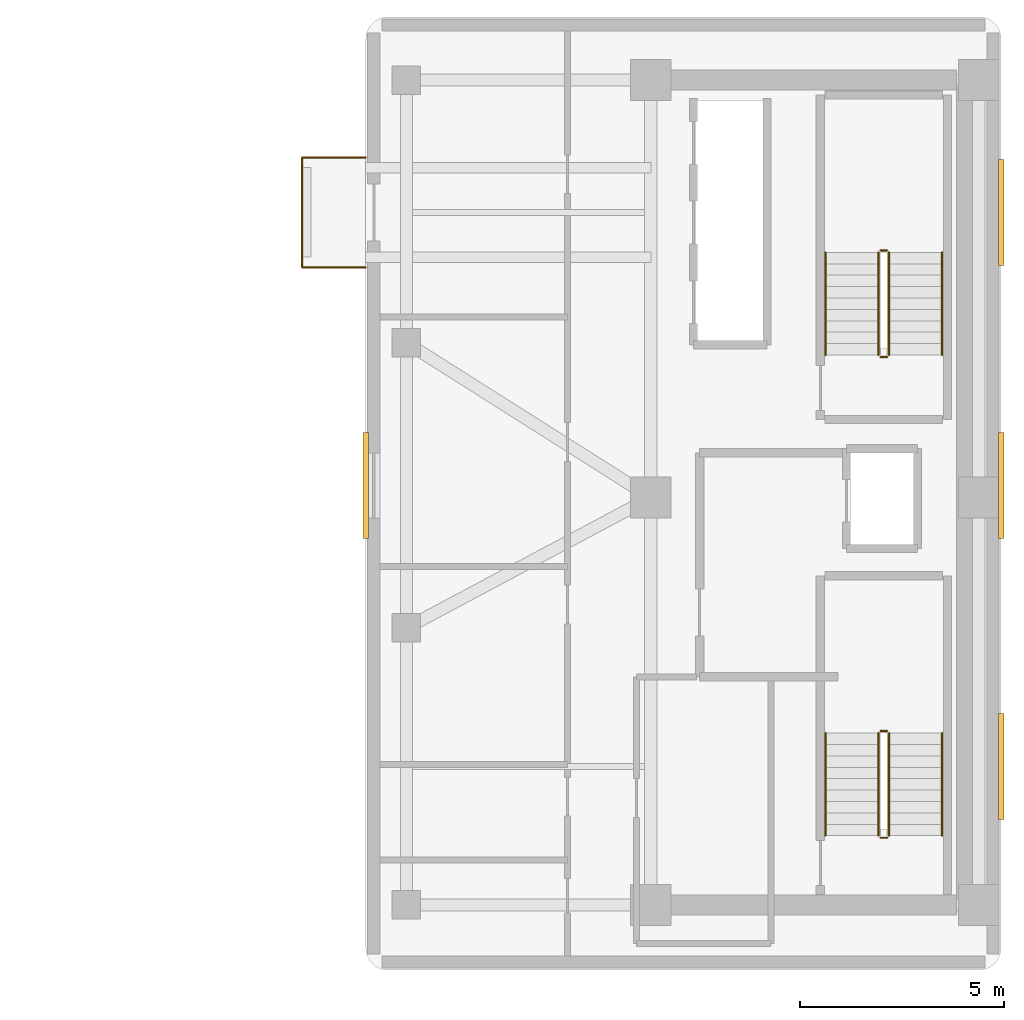
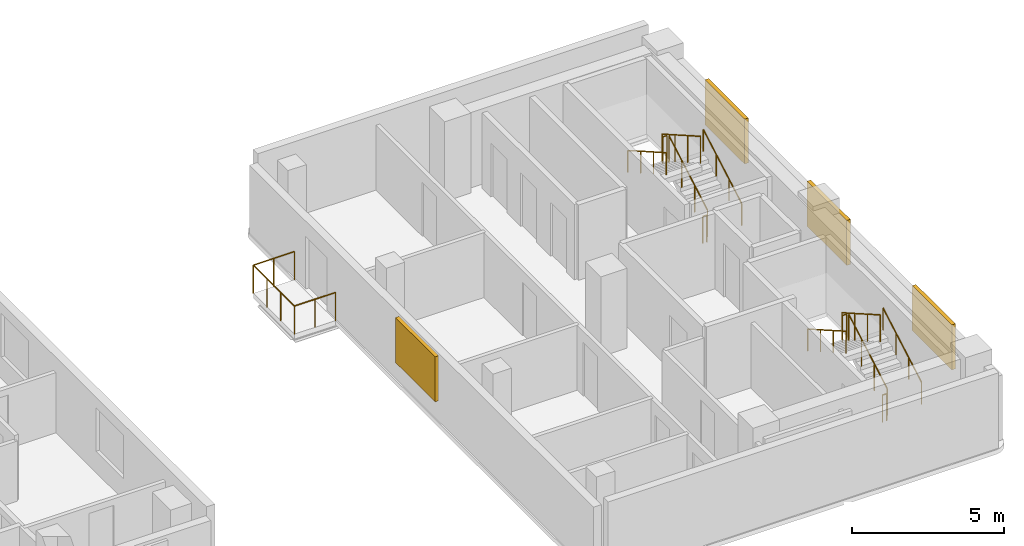
# One storey, part 9 of 9: 15 railings, 4 shading devices.
"""IFC4 building model written with IfcOpenShell, lengths in metres."""

from ifc_helpers import new_model, si_unit, direction, frame, origin, origin_2d, place, context, subcontext, project, spatial, rectangle, circle, extrude, material, layer, layer_set, type_object, element, save


model = new_model("IFC4")

# Units and contexts
model_context = context("Model", 3, precision=1e-05, world=origin(), true_north=direction((0.0, 1.0)))
body_context = subcontext(model_context, "Body", "Model", "MODEL_VIEW")
ifc_project = project(units=[si_unit("LENGTHUNIT", "METRE"), si_unit("AREAUNIT", "SQUARE_METRE"), si_unit("VOLUMEUNIT", "CUBIC_METRE"), si_unit("PLANEANGLEUNIT", "RADIAN"), si_unit("MASSUNIT", "GRAM", prefix="KILO")], contexts=[model_context])

# Site, building, storey
site_placement = place(None, origin())
site = spatial("IfcSite", under=ifc_project, at=site_placement, CompositionType="ELEMENT")
building_placement = place(site_placement, origin())
building = spatial("IfcBuilding", under=site, at=building_placement, Name="Kuzgunbayir Cultural Tower", CompositionType="ELEMENT")
storey_placement = place(building_placement, frame((0.0, 0.0, 96.199951171875)))
storey = spatial("IfcBuildingStorey", under=building, at=storey_placement, Name="L27", CompositionType="ELEMENT", Elevation=96.199951171875)

# Railings
ifc_material_1 = material(Name="Laminated Glass and Stainless Steel", Category="steel")
ifc_layer_1 = layer(ifc_material_1, 0.080078125)
ifc_layer_set_1 = layer_set([ifc_layer_1], Name="Laminated Glass and Stainless Steel")
railing_type_1 = type_object("IfcRailingType", Name="RLG-BAL-115", PredefinedType="BALUSTRADE", material=ifc_layer_set_1)
railing_1_placement = place(storey_placement, frame((57.60009765625, 37.64990234375, 0.0)))
element("IfcRailing", 1, at=railing_1_placement, inside=storey, type_object=railing_type_1, Name="L27 Companion Balcony Guard BAL-L27-T2W3 Segment 1", PredefinedType="BALUSTRADE", context=body_context, shape_type="SweptSolid", body=[
    extrude(circle(Radius=0.02392578125, at=origin_2d()), frame((0.0, 0.0, 1.1259765625), z_axis=(-1.0, 0.0, 0.0), x_axis=(0.0, -1.0, 0.0)), (0.0, 0.0, 1.0), 1.56005859375),
    extrude(circle(Radius=0.02099609375, at=origin_2d()), origin(), (0.0, 0.0, 1.0), 1.101806640625),
    extrude(circle(Radius=0.02099609375, at=origin_2d()), frame((-0.780029296875, 0.0, 0.0)), (0.0, 0.0, 1.0), 1.101806640625),
    extrude(circle(Radius=0.02099609375, at=origin_2d()), frame((-1.56005859375, 0.0, 0.0)), (0.0, 0.0, 1.0), 1.101806640625),
])
railing_2_placement = place(storey_placement, frame((56.0400390625, 37.64990234375, 0.0)))
element("IfcRailing", 2, at=railing_2_placement, inside=storey, type_object=railing_type_1, Name="L27 Companion Balcony Guard BAL-L27-T2W3 Segment 2", PredefinedType="BALUSTRADE", context=body_context, shape_type="SweptSolid", body=[
    extrude(circle(Radius=0.02392578125, at=origin_2d()), frame((0.0, 0.0, 1.1259765625), z_axis=(0.0, 1.0, 0.0), x_axis=(-1.0, 0.0, 0.0)), (0.0, 0.0, 1.0), 2.7001953125),
    extrude(circle(Radius=0.02099609375, at=origin_2d()), origin(), (0.0, 0.0, 1.0), 1.101806640625),
    extrude(circle(Radius=0.02099609375, at=origin_2d()), frame((0.0, 0.900146484375, 0.0)), (0.0, 0.0, 1.0), 1.101806640625),
    extrude(circle(Radius=0.02099609375, at=origin_2d()), frame((0.0, 1.800048828125, 0.0)), (0.0, 0.0, 1.0), 1.101806640625),
    extrude(circle(Radius=0.02099609375, at=origin_2d()), frame((0.0, 2.7001953125, 0.0)), (0.0, 0.0, 1.0), 1.101806640625),
])
railing_3_placement = place(storey_placement, frame((56.0400390625, 40.35009765625, 0.0)))
element("IfcRailing", 3, at=railing_3_placement, inside=storey, type_object=railing_type_1, Name="L27 Companion Balcony Guard BAL-L27-T2W3 Segment 3", PredefinedType="BALUSTRADE", context=body_context, shape_type="SweptSolid", body=[
    extrude(circle(Radius=0.02392578125, at=origin_2d()), frame((0.0, 0.0, 1.1259765625), z_axis=(1.0, 0.0, 0.0), x_axis=(0.0, 1.0, 0.0)), (0.0, 0.0, 1.0), 1.56005859375),
    extrude(circle(Radius=0.02099609375, at=origin_2d()), origin(), (0.0, 0.0, 1.0), 1.101806640625),
    extrude(circle(Radius=0.02099609375, at=origin_2d()), frame((0.780029296875, 0.0, 0.0)), (0.0, 0.0, 1.0), 1.101806640625),
    extrude(circle(Radius=0.02099609375, at=origin_2d()), frame((1.56005859375, 0.0, 0.0)), (0.0, 0.0, 1.0), 1.101806640625),
])
ifc_material_2 = material(Name="Brushed Stainless Steel", Category="steel")
ifc_layer_2 = layer(ifc_material_2, 0.050048828125)
ifc_layer_set_2 = layer_set([ifc_layer_2], Name="Brushed Stainless Steel")
railing_type_2 = type_object("IfcRailingType", Name="RLG-STAIR-HANDRAIL", PredefinedType="HANDRAIL", material=ifc_layer_set_2)
railing_4_placement = place(storey_placement, frame((71.75, 23.699951171875, 0.16015625)))
element("IfcRailing", 4, at=railing_4_placement, inside=storey, type_object=railing_type_2, Name="L27 ST-3 stair handrail 1", PredefinedType="HANDRAIL", context=body_context, shape_type="SweptSolid", body=[
    extrude(circle(Radius=0.02392578125, at=origin_2d()), frame((0.0, 0.0, 0.8759765625), z_axis=(0.0, 0.868253494771, 0.496120820787), x_axis=(-1.0, 0.0, 0.0)), (0.0, 0.0, 1.0), 2.90234375),
    extrude(circle(Radius=0.02099609375, at=origin_2d()), origin(), (0.0, 0.0, 1.0), 0.851806640625),
    extrude(circle(Radius=0.02099609375, at=origin_2d()), frame((0.0, 0.840087890625, 0.47998046875)), (0.0, 0.0, 1.0), 0.851806640625),
    extrude(circle(Radius=0.02099609375, at=origin_2d()), frame((0.0, 1.679931640625, 0.9599609375)), (0.0, 0.0, 1.0), 0.851806640625),
    extrude(circle(Radius=0.02099609375, at=origin_2d()), frame((0.0, 2.52001953125, 1.43994140625)), (0.0, 0.0, 1.0), 0.851806640625),
])
railing_5_placement = place(storey_placement, frame((68.889892578125, 26.219970703125, 1.760009765625)))
element("IfcRailing", 5, at=railing_5_placement, inside=storey, type_object=railing_type_2, Name="L27 ST-3 stair handrail 2", PredefinedType="HANDRAIL", context=body_context, shape_type="SweptSolid", body=[
    extrude(circle(Radius=0.02392578125, at=origin_2d()), frame((0.0, 0.0, 0.8759765625), z_axis=(0.0, -0.868253494771, 0.496120820787), x_axis=(1.0, 0.0, 0.0)), (0.0, 0.0, 1.0), 2.90234375),
    extrude(circle(Radius=0.02099609375, at=origin_2d()), origin(), (0.0, 0.0, 1.0), 0.851806640625),
    extrude(circle(Radius=0.02099609375, at=origin_2d()), frame((0.0, -0.840087890625, 0.47998046875)), (0.0, 0.0, 1.0), 0.851806640625),
    extrude(circle(Radius=0.02099609375, at=origin_2d()), frame((0.0, -1.679931640625, 0.9599609375)), (0.0, 0.0, 1.0), 0.851806640625),
    extrude(circle(Radius=0.02099609375, at=origin_2d()), frame((0.0, -2.52001953125, 1.43994140625)), (0.0, 0.0, 1.0), 0.851806640625),
])
railing_6_placement = place(storey_placement, frame((71.75, 35.5, 0.16015625)))
element("IfcRailing", 6, at=railing_6_placement, inside=storey, type_object=railing_type_2, Name="L27 ST-4 stair handrail 1", PredefinedType="HANDRAIL", context=body_context, shape_type="SweptSolid", body=[
    extrude(circle(Radius=0.02392578125, at=origin_2d()), frame((0.0, 0.0, 0.8759765625), z_axis=(0.0, 0.868253494771, 0.496120820787), x_axis=(-1.0, 0.0, 0.0)), (0.0, 0.0, 1.0), 2.90234375),
    extrude(circle(Radius=0.02099609375, at=origin_2d()), origin(), (0.0, 0.0, 1.0), 0.851806640625),
    extrude(circle(Radius=0.02099609375, at=origin_2d()), frame((0.0, 0.840087890625, 0.47998046875)), (0.0, 0.0, 1.0), 0.851806640625),
    extrude(circle(Radius=0.02099609375, at=origin_2d()), frame((0.0, 1.679931640625, 0.9599609375)), (0.0, 0.0, 1.0), 0.851806640625),
    extrude(circle(Radius=0.02099609375, at=origin_2d()), frame((0.0, 2.52001953125, 1.43994140625)), (0.0, 0.0, 1.0), 0.851806640625),
])
railing_7_placement = place(storey_placement, frame((68.889892578125, 38.02001953125, 1.760009765625)))
element("IfcRailing", 7, at=railing_7_placement, inside=storey, type_object=railing_type_2, Name="L27 ST-4 stair handrail 2", PredefinedType="HANDRAIL", context=body_context, shape_type="SweptSolid", body=[
    extrude(circle(Radius=0.02392578125, at=origin_2d()), frame((0.0, 0.0, 0.8759765625), z_axis=(0.0, -0.868253494771, 0.496120820787), x_axis=(1.0, 0.0, 0.0)), (0.0, 0.0, 1.0), 2.90234375),
    extrude(circle(Radius=0.02099609375, at=origin_2d()), origin(), (0.0, 0.0, 1.0), 0.851806640625),
    extrude(circle(Radius=0.02099609375, at=origin_2d()), frame((0.0, -0.840087890625, 0.47998046875)), (0.0, 0.0, 1.0), 0.851806640625),
    extrude(circle(Radius=0.02099609375, at=origin_2d()), frame((0.0, -1.679931640625, 0.9599609375)), (0.0, 0.0, 1.0), 0.851806640625),
    extrude(circle(Radius=0.02099609375, at=origin_2d()), frame((0.0, -2.52001953125, 1.43994140625)), (0.0, 0.0, 1.0), 0.851806640625),
])
ifc_material_3 = material(Name="Painted Steel Balustrade", Category="steel")
ifc_layer_3 = layer(ifc_material_3, 0.06005859375)
ifc_layer_set_3 = layer_set([ifc_layer_3], Name="Painted Steel Balustrade")
railing_type_3 = type_object("IfcRailingType", Name="RLG-WELL-GUARD", PredefinedType="GUARDRAIL", material=ifc_layer_set_3)
railing_8_placement = place(storey_placement, frame((70.449951171875, 23.699951171875, 0.16015625)))
element("IfcRailing", 8, at=railing_8_placement, inside=storey, type_object=railing_type_3, Name="L27 ST-3 stair guard 1", PredefinedType="GUARDRAIL", context=body_context, shape_type="SweptSolid", body=[
    extrude(circle(Radius=0.02392578125, at=origin_2d()), frame((0.0, 0.0, 1.076171875), z_axis=(0.0, 0.868253494771, 0.496120820787), x_axis=(-1.0, 0.0, 0.0)), (0.0, 0.0, 1.0), 2.90234375),
    extrude(circle(Radius=0.02099609375, at=origin_2d()), origin(), (0.0, 0.0, 1.0), 1.052001953125),
    extrude(circle(Radius=0.02099609375, at=origin_2d()), frame((0.0, 0.840087890625, 0.47998046875)), (0.0, 0.0, 1.0), 1.052001953125),
    extrude(circle(Radius=0.02099609375, at=origin_2d()), frame((0.0, 1.679931640625, 0.9599609375)), (0.0, 0.0, 1.0), 1.052001953125),
    extrude(circle(Radius=0.02099609375, at=origin_2d()), frame((0.0, 2.52001953125, 1.43994140625)), (0.0, 0.0, 1.0), 1.052001953125),
])
railing_9_placement = place(storey_placement, frame((70.39990234375, 26.27001953125, 1.60009765625)))
element("IfcRailing", 9, at=railing_9_placement, inside=storey, type_object=railing_type_3, Name="L27 ST-3 stair guard 2", PredefinedType="GUARDRAIL", context=body_context, shape_type="SweptSolid", body=[
    extrude(circle(Radius=0.02392578125, at=origin_2d()), frame((0.0, 0.0, 1.076171875), z_axis=(-1.0, 0.0, 0.0), x_axis=(0.0, -1.0, 0.0)), (0.0, 0.0, 1.0), 0.159912109375),
    extrude(circle(Radius=0.02099609375, at=origin_2d()), origin(), (0.0, 0.0, 1.0), 1.052001953125),
    extrude(circle(Radius=0.02099609375, at=origin_2d()), frame((-0.159912109375, 0.0, 0.0)), (0.0, 0.0, 1.0), 1.052001953125),
])
railing_10_placement = place(storey_placement, frame((70.18994140625, 26.219970703125, 1.760009765625)))
element("IfcRailing", 10, at=railing_10_placement, inside=storey, type_object=railing_type_3, Name="L27 ST-3 stair guard 3", PredefinedType="GUARDRAIL", context=body_context, shape_type="SweptSolid", body=[
    extrude(circle(Radius=0.02392578125, at=origin_2d()), frame((0.0, 0.0, 1.076171875), z_axis=(0.0, -0.868253494771, 0.496120820787), x_axis=(1.0, 0.0, 0.0)), (0.0, 0.0, 1.0), 2.90234375),
    extrude(circle(Radius=0.02099609375, at=origin_2d()), origin(), (0.0, 0.0, 1.0), 1.052001953125),
    extrude(circle(Radius=0.02099609375, at=origin_2d()), frame((0.0, -0.840087890625, 0.47998046875)), (0.0, 0.0, 1.0), 1.052001953125),
    extrude(circle(Radius=0.02099609375, at=origin_2d()), frame((0.0, -1.679931640625, 0.9599609375)), (0.0, 0.0, 1.0), 1.052001953125),
    extrude(circle(Radius=0.02099609375, at=origin_2d()), frame((0.0, -2.52001953125, 1.43994140625)), (0.0, 0.0, 1.0), 1.052001953125),
])
railing_11_placement = place(storey_placement, frame((70.39990234375, 23.64990234375, 0.0)))
element("IfcRailing", 11, at=railing_11_placement, inside=storey, type_object=railing_type_3, Name="L27 ST-3 stair guard 4", PredefinedType="GUARDRAIL", context=body_context, shape_type="SweptSolid", body=[
    extrude(circle(Radius=0.02392578125, at=origin_2d()), frame((0.0, 0.0, 1.076171875), z_axis=(-1.0, 0.0, 0.0), x_axis=(0.0, -1.0, 0.0)), (0.0, 0.0, 1.0), 0.159912109375),
    extrude(circle(Radius=0.02099609375, at=origin_2d()), origin(), (0.0, 0.0, 1.0), 1.052001953125),
    extrude(circle(Radius=0.02099609375, at=origin_2d()), frame((-0.159912109375, 0.0, 0.0)), (0.0, 0.0, 1.0), 1.052001953125),
])
railing_12_placement = place(storey_placement, frame((70.449951171875, 35.5, 0.16015625)))
element("IfcRailing", 12, at=railing_12_placement, inside=storey, type_object=railing_type_3, Name="L27 ST-4 stair guard 1", PredefinedType="GUARDRAIL", context=body_context, shape_type="SweptSolid", body=[
    extrude(circle(Radius=0.02392578125, at=origin_2d()), frame((0.0, 0.0, 1.076171875), z_axis=(0.0, 0.868253494771, 0.496120820787), x_axis=(-1.0, 0.0, 0.0)), (0.0, 0.0, 1.0), 2.90234375),
    extrude(circle(Radius=0.02099609375, at=origin_2d()), origin(), (0.0, 0.0, 1.0), 1.052001953125),
    extrude(circle(Radius=0.02099609375, at=origin_2d()), frame((0.0, 0.840087890625, 0.47998046875)), (0.0, 0.0, 1.0), 1.052001953125),
    extrude(circle(Radius=0.02099609375, at=origin_2d()), frame((0.0, 1.679931640625, 0.9599609375)), (0.0, 0.0, 1.0), 1.052001953125),
    extrude(circle(Radius=0.02099609375, at=origin_2d()), frame((0.0, 2.52001953125, 1.43994140625)), (0.0, 0.0, 1.0), 1.052001953125),
])
railing_13_placement = place(storey_placement, frame((70.39990234375, 38.070068359375, 1.60009765625)))
element("IfcRailing", 13, at=railing_13_placement, inside=storey, type_object=railing_type_3, Name="L27 ST-4 stair guard 2", PredefinedType="GUARDRAIL", context=body_context, shape_type="SweptSolid", body=[
    extrude(circle(Radius=0.02392578125, at=origin_2d()), frame((0.0, 0.0, 1.076171875), z_axis=(-1.0, 0.0, 0.0), x_axis=(0.0, -1.0, 0.0)), (0.0, 0.0, 1.0), 0.159912109375),
    extrude(circle(Radius=0.02099609375, at=origin_2d()), origin(), (0.0, 0.0, 1.0), 1.052001953125),
    extrude(circle(Radius=0.02099609375, at=origin_2d()), frame((-0.159912109375, 0.0, 0.0)), (0.0, 0.0, 1.0), 1.052001953125),
])
railing_14_placement = place(storey_placement, frame((70.18994140625, 38.02001953125, 1.760009765625)))
element("IfcRailing", 14, at=railing_14_placement, inside=storey, type_object=railing_type_3, Name="L27 ST-4 stair guard 3", PredefinedType="GUARDRAIL", context=body_context, shape_type="SweptSolid", body=[
    extrude(circle(Radius=0.02392578125, at=origin_2d()), frame((0.0, 0.0, 1.076171875), z_axis=(0.0, -0.868253494771, 0.496120820787), x_axis=(1.0, 0.0, 0.0)), (0.0, 0.0, 1.0), 2.90234375),
    extrude(circle(Radius=0.02099609375, at=origin_2d()), origin(), (0.0, 0.0, 1.0), 1.052001953125),
    extrude(circle(Radius=0.02099609375, at=origin_2d()), frame((0.0, -0.840087890625, 0.47998046875)), (0.0, 0.0, 1.0), 1.052001953125),
    extrude(circle(Radius=0.02099609375, at=origin_2d()), frame((0.0, -1.679931640625, 0.9599609375)), (0.0, 0.0, 1.0), 1.052001953125),
    extrude(circle(Radius=0.02099609375, at=origin_2d()), frame((0.0, -2.52001953125, 1.43994140625)), (0.0, 0.0, 1.0), 1.052001953125),
])
railing_15_placement = place(storey_placement, frame((70.39990234375, 35.449951171875, 0.0)))
element("IfcRailing", 15, at=railing_15_placement, inside=storey, type_object=railing_type_3, Name="L27 ST-4 stair guard 4", PredefinedType="GUARDRAIL", context=body_context, shape_type="SweptSolid", body=[
    extrude(circle(Radius=0.02392578125, at=origin_2d()), frame((0.0, 0.0, 1.076171875), z_axis=(-1.0, 0.0, 0.0), x_axis=(0.0, -1.0, 0.0)), (0.0, 0.0, 1.0), 0.159912109375),
    extrude(circle(Radius=0.02099609375, at=origin_2d()), origin(), (0.0, 0.0, 1.0), 1.052001953125),
    extrude(circle(Radius=0.02099609375, at=origin_2d()), frame((-0.159912109375, 0.0, 0.0)), (0.0, 0.0, 1.0), 1.052001953125),
])

# Shading devices
ifc_material_4 = material(Name="Perforated Bronze-Anodised Aluminium", Category="aluminium")
shading_device_type = type_object("IfcShadingDeviceType", Name="SHD-SOLAR-BRONZE", PredefinedType="JALOUSIE", material=ifc_material_4)
for number, where, z_axis, x_axis, name in (
    (16, (57.60009765625, 32.300048828125, 0.7998046875), (0.0, 0.0, 1.0), (1.0, 0.0, 0.0), "L27 Companion Bronze Solar Screen 32"),
    (17, (73.199951171875, 25.39990234375, 0.7998046875), (0.0, 0.0, 1.0), (1.0, 0.0, 0.0), "L27 Companion East Bronze Solar Screen 25"),
    (18, (73.199951171875, 32.300048828125, 0.7998046875), (0.0, 0.0, 1.0), (1.0, 0.0, 0.0), "L27 Companion East Bronze Solar Screen 32"),
    (19, (73.199951171875, 39.0, 0.7998046875), (0.0, 0.0, 1.0), (1.0, 0.0, 0.0), "L27 Companion East Bronze Solar Screen 39"),
):
    element("IfcShadingDevice", number, at=place(storey_placement, frame(where, z_axis=z_axis, x_axis=x_axis)), inside=storey, type_object=shading_device_type, Name=name, PredefinedType="JALOUSIE", context=body_context, shape_type="SweptSolid", body=[
        extrude(rectangle(XDim=0.139892578125, YDim=2.60009765625, at=origin_2d()), origin(), (0.0, 0.0, 1.0), 1.800048828125),
    ])

save(model, "model.ifc")
